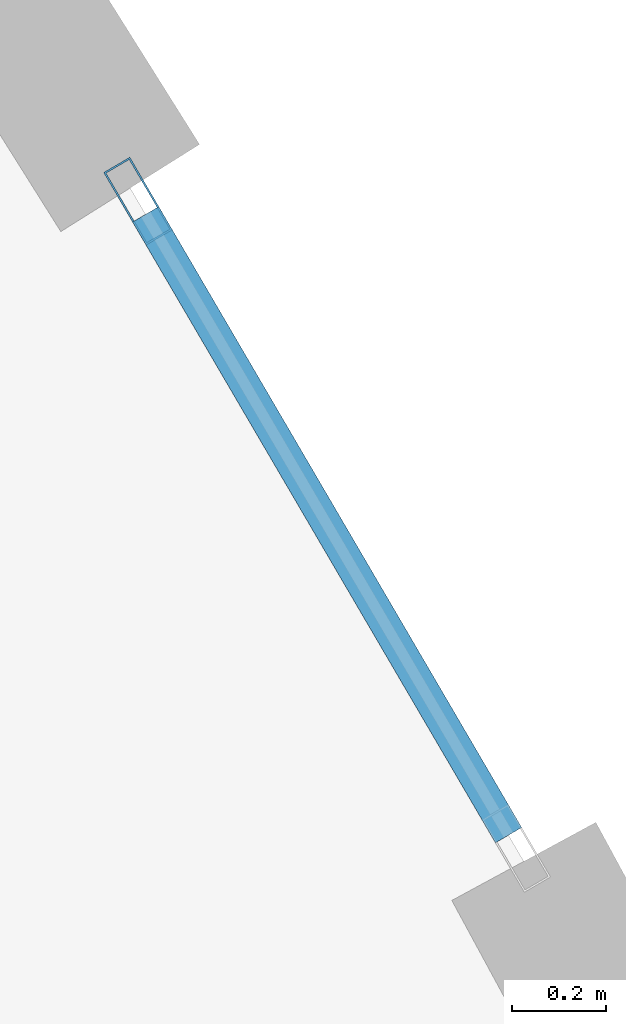
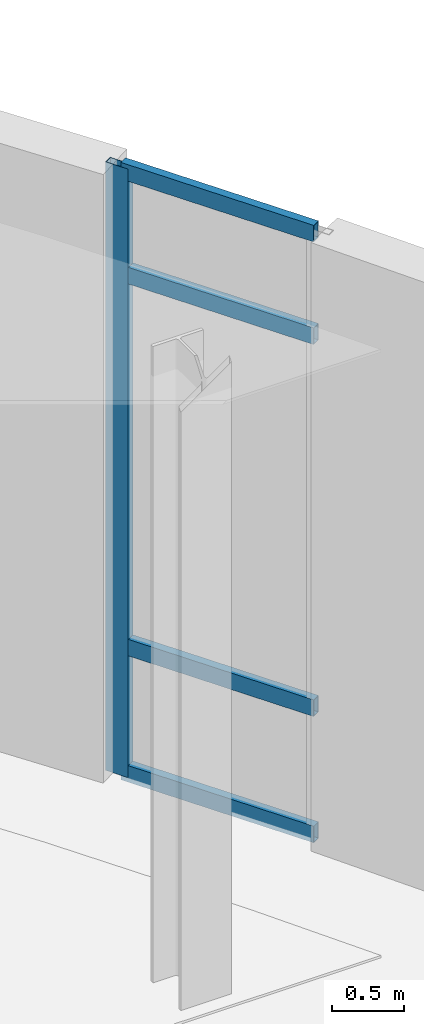
# One storey, part 51 of 110: 5 members, 1 element without a shape of its own.
"""IFC4 building model written with IfcOpenShell, lengths in metres."""

from ifc_helpers import new_model, si_unit, direction, frame, origin, origin_2d, place, context, subcontext, project, spatial, hollow_rectangle, extrude, material, layer, layer_set, material_profile, profile_set, type_object, element, aggregate, save


model = new_model("IFC4")

# Units and contexts
model_context = context("Model", 3, precision=1e-05, world=origin(), true_north=direction((0.0, 1.0)))
body_context = subcontext(model_context, "Body", "Model", "MODEL_VIEW")
ifc_project = project(units=[si_unit("LENGTHUNIT", "METRE"), si_unit("AREAUNIT", "SQUARE_METRE"), si_unit("VOLUMEUNIT", "CUBIC_METRE"), si_unit("PLANEANGLEUNIT", "RADIAN"), si_unit("MASSUNIT", "GRAM", prefix="KILO"), si_unit("THERMODYNAMICTEMPERATUREUNIT", "KELVIN")], contexts=[model_context])

# Site, building, storey
site_placement = place(None, origin())
site = spatial("IfcSite", under=ifc_project, at=site_placement, CompositionType="ELEMENT")
building_placement = place(site_placement, origin())
building = spatial("IfcBuilding", under=site, at=building_placement, Name="Lustrewick Department Store", CompositionType="ELEMENT")
storey_placement = place(building_placement, frame((0.0, 0.0, 6.0)))
storey = spatial("IfcBuildingStorey", under=building, at=storey_placement, Name="L02", CompositionType="ELEMENT", Elevation=6.0)

# Curtain wall, members
ifc_material = material(Name="Thermally broken aluminium 6063-T5", Category="aluminium")
ifc_layer = layer(ifc_material, 0.179931640625, Name="Thermally broken aluminium 6063-T5")
ifc_layer_set = layer_set([ifc_layer], Name="Thermally broken aluminium 6063-T5")
curtain_wall_type = type_object("IfcCurtainWallType", Name="CW11", PredefinedType="NOTDEFINED", material=ifc_layer_set)
curtain_wall_placement = place(storey_placement, origin())
curtain_wall = element("IfcCurtainWall", 1, at=curtain_wall_placement, inside=storey, type_object=curtain_wall_type, Name="L02 V4 Curtain Wall CW11", PredefinedType="NOTDEFINED")
ifc_material_profile_1 = material_profile(ifc_material, hollow_rectangle(XDim=0.06494140625, YDim=0.179931640625, WallThickness=0.00390625, at=origin_2d()), Name="ALU-M 65x180x4")
ifc_profile_set_1 = profile_set([ifc_material_profile_1], Name="Thermally broken aluminium 6063-T5")
member_type_1 = type_object("IfcMemberType", Name="CW11-M1", PredefinedType="MULLION", material=ifc_profile_set_1)
member_1_placement = place(storey_placement, frame((160.48388671875, 86.5283203125, 0.0), z_axis=(0.0, 0.0, 1.0), x_axis=(-0.86332815827, -0.504642934299, 0.0)))
member_1 = element("IfcMember", 2, at=member_1_placement, type_object=member_type_1, Name="CW11 mullion 2", PredefinedType="MULLION", context=body_context, shape_type="SweptSolid", body=[
    extrude(hollow_rectangle(XDim=0.06494140625, YDim=0.179931640625, WallThickness=0.00390625, at=origin_2d()), origin(), (0.0, 0.0, 1.0), 5.14501953125),
])
ifc_material_profile_2 = material_profile(ifc_material, hollow_rectangle(XDim=0.06494140625, YDim=0.139892578125, WallThickness=0.00341796875, at=origin_2d()), Name="ALU-T 65x140x3.5")
ifc_profile_set_2 = profile_set([ifc_material_profile_2], Name="Thermally broken aluminium 6063-T5")
member_type_2 = type_object("IfcMemberType", Name="CW11-T1", PredefinedType="USERDEFINED", material=ifc_profile_set_2)
member_2_placement = place(storey_placement, frame((161.27587890625, 85.17333984375, 0.032470703125), z_axis=(-0.504651054194, 0.86332341188, 0.0), x_axis=(-0.86332341188, -0.504651054194, 0.0)))
member_2 = element("IfcMember", 3, at=member_2_placement, type_object=member_type_2, Name="CW11 transom 1.1", ObjectType="TRANSOM", PredefinedType="USERDEFINED", context=body_context, shape_type="SweptSolid", body=[
    extrude(hollow_rectangle(XDim=0.06494140625, YDim=0.139892578125, WallThickness=0.00341796875, at=origin_2d()), origin(), (0.0, 0.0, 1.0), 1.536865234375),
])
member_3_placement = place(storey_placement, frame((161.27587890625, 85.17333984375, 1.10009765625), z_axis=(-0.504651054194, 0.86332341188, 0.0), x_axis=(-0.86332341188, -0.504651054194, 0.0)))
member_3 = element("IfcMember", 4, at=member_3_placement, type_object=member_type_2, Name="CW11 transom 1.2", ObjectType="TRANSOM", PredefinedType="USERDEFINED", context=body_context, shape_type="SweptSolid", body=[
    extrude(hollow_rectangle(XDim=0.06494140625, YDim=0.139892578125, WallThickness=0.00341796875, at=origin_2d()), origin(), (0.0, 0.0, 1.0), 1.536865234375),
])
member_4_placement = place(storey_placement, frame((161.27587890625, 85.17333984375, 4.2451171875), z_axis=(-0.504651054194, 0.86332341188, 0.0), x_axis=(-0.86332341188, -0.504651054194, 0.0)))
member_4 = element("IfcMember", 5, at=member_4_placement, type_object=member_type_2, Name="CW11 transom 1.3", ObjectType="TRANSOM", PredefinedType="USERDEFINED", context=body_context, shape_type="SweptSolid", body=[
    extrude(hollow_rectangle(XDim=0.06494140625, YDim=0.139892578125, WallThickness=0.00341796875, at=origin_2d()), origin(), (0.0, 0.0, 1.0), 1.536865234375),
])
member_5_placement = place(storey_placement, frame((161.27587890625, 85.17333984375, 5.112548828125), z_axis=(-0.504651054194, 0.86332341188, 0.0), x_axis=(-0.86332341188, -0.504651054194, 0.0)))
member_5 = element("IfcMember", 6, at=member_5_placement, type_object=member_type_2, Name="CW11 transom 1.4", ObjectType="TRANSOM", PredefinedType="USERDEFINED", context=body_context, shape_type="SweptSolid", body=[
    extrude(hollow_rectangle(XDim=0.06494140625, YDim=0.139892578125, WallThickness=0.00341796875, at=origin_2d()), origin(), (0.0, 0.0, 1.0), 1.536865234375),
])
aggregate(curtain_wall, [member_1, member_2, member_3, member_4, member_5])

save(model, "model.ifc")
